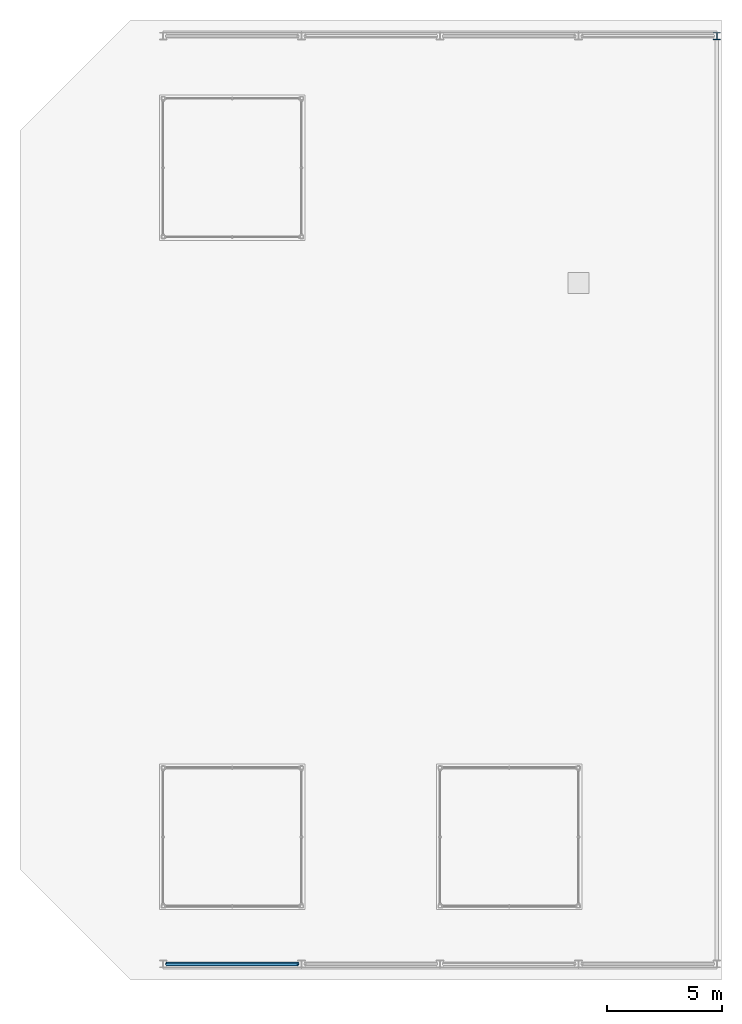
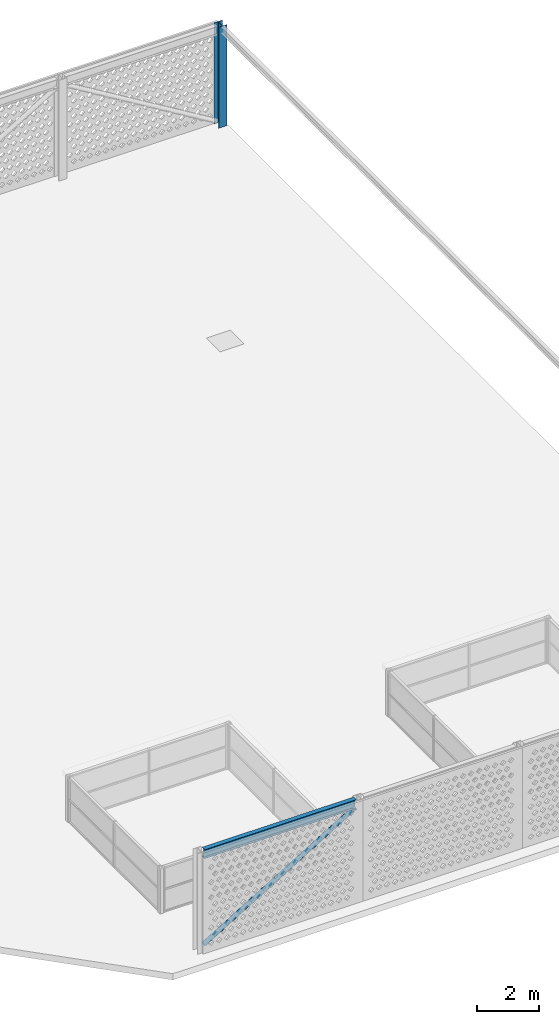
# One storey, part 4 of 10: 1 beam, 1 column, 1 member.
"""IFC4 building model written with IfcOpenShell, lengths in metres."""

from ifc_helpers import new_model, si_unit, direction, frame, origin, origin_2d, place, context, subcontext, project, spatial, hollow_circle, i_section, extrude, source, transform, mapped, material, material_profile, profile_set, type_object, element, save


model = new_model("IFC4")

# Units and contexts
model_context = context("Model", 3, precision=1e-05, world=origin(), true_north=direction((0.0, 1.0)))
body_context = subcontext(model_context, "Body", "Model", "MODEL_VIEW")
ifc_project = project(units=[si_unit("LENGTHUNIT", "METRE"), si_unit("AREAUNIT", "SQUARE_METRE"), si_unit("VOLUMEUNIT", "CUBIC_METRE"), si_unit("PLANEANGLEUNIT", "RADIAN"), si_unit("MASSUNIT", "GRAM", prefix="KILO")], contexts=[model_context])

# Site, building, storey
site_placement = place(None, origin())
site = spatial("IfcSite", under=ifc_project, at=site_placement, CompositionType="ELEMENT")
building_placement = place(site_placement, origin())
building = spatial("IfcBuilding", under=site, at=building_placement, Name="Poui Terraces", CompositionType="ELEMENT")
storey_placement = place(building_placement, frame((0.0, 0.0, 292.199951171875)))
storey = spatial("IfcBuildingStorey", under=building, at=storey_placement, Name="ROOF", CompositionType="ELEMENT", Elevation=292.199951171875)

# Column
ifc_material_1 = material(Name="Steel Grade 300 MPa", Category="steel")
ifc_material_profile_1 = material_profile(ifc_material_1, i_section(OverallWidth=0.306884765625, OverallDepth=0.314697265625, WebThickness=0.011962890625, FlangeThickness=0.018798828125, FilletRadius=0.0166015625, at=origin_2d()), Name="310UC118")
ifc_profile_set_1 = profile_set([ifc_material_profile_1], Name="Steel Grade 300 MPa")
column_type = type_object("IfcColumnType", Name="SCREEN FRAME POST 310UC118", PredefinedType="COLUMN", material=ifc_profile_set_1)
shared_shape_1 = source(origin(), body_context, "Body", "SweptSolid", [
    extrude(i_section(OverallWidth=0.306884765625, OverallDepth=0.314697265625, WebThickness=0.011962890625, FlangeThickness=0.018798828125, FilletRadius=0.0166015625, at=origin_2d()), origin(), (0.0, 0.0, 1.0), 4.0),
])
column_placement = place(storey_placement, frame((48.0, 40.699951171875, 0.0), z_axis=(0.0, 0.0, 1.0), x_axis=(1.0, 0.0, 0.0)))
element("IfcColumn", 1, at=column_placement, inside=storey, type_object=column_type, Name="SCREEN FRAME POST N9", PredefinedType="COLUMN", context=body_context, shape_type="MappedRepresentation", body=[
    mapped(shared_shape_1, transform((0.0, 0.0, 0.0))),
])

# Member
ifc_material_2 = material(Name="Steel Grade 350 MPa", Category="steel")
ifc_material_profile_2 = material_profile(ifc_material_2, hollow_circle(Radius=0.084228515625, WallThickness=0.007080078125, at=origin_2d()), Name="168.3x7.1 CHS")
ifc_profile_set_2 = profile_set([ifc_material_profile_2], Name="Steel Grade 350 MPa")
member_type = type_object("IfcMemberType", Name="SCREEN FRAME BRACE 168.3x7.1 CHS", PredefinedType="BRACE", material=ifc_profile_set_2)
member_placement = place(storey_placement, frame((24.153564453125, 0.5, 0.199951171875), z_axis=(0.855784886129, 0.0, 0.51733183613), x_axis=(0.0, 1.0, 0.0)))
element("IfcMember", 2, at=member_placement, inside=storey, type_object=member_type, Name="SCREEN FRAME BRACE S1", PredefinedType="BRACE", context=body_context, shape_type="SweptSolid", body=[
    extrude(hollow_circle(Radius=0.084228515625, WallThickness=0.007080078125, at=origin_2d()), origin(), (0.0, 0.0, 1.0), 6.65234375),
])

# Beam
ifc_material_profile_3 = material_profile(ifc_material_1, i_section(OverallWidth=0.172119140625, OverallDepth=0.358642578125, WebThickness=0.008056640625, FlangeThickness=0.012939453125, FilletRadius=0.011474609375, at=origin_2d()), Name="360UB56.7")
ifc_profile_set_3 = profile_set([ifc_material_profile_3], Name="Steel Grade 300 MPa")
beam_type = type_object("IfcBeamType", Name="SCREEN FRAME EDGE BEAM 360UB56.7", PredefinedType="BEAM", material=ifc_profile_set_3)
shared_shape_2 = source(origin(), body_context, "Body", "SweptSolid", [
    extrude(i_section(OverallWidth=0.172119140625, OverallDepth=0.358642578125, WebThickness=0.008056640625, FlangeThickness=0.012939453125, FilletRadius=0.011474609375, at=origin_2d()), origin(), (0.0, 0.0, 1.0), 5.69287109375),
])
beam_placement = place(storey_placement, frame((24.153564453125, 0.5, 3.82080078125), z_axis=(1.0, 0.0, 0.0), x_axis=(0.0, 1.0, 0.0)))
element("IfcBeam", 3, at=beam_placement, inside=storey, type_object=beam_type, Name="SCREEN FRAME EDGE BEAM S1", PredefinedType="BEAM", context=body_context, shape_type="MappedRepresentation", body=[
    mapped(shared_shape_2, transform((0.0, 0.0, 0.0))),
])

save(model, "model.ifc")
